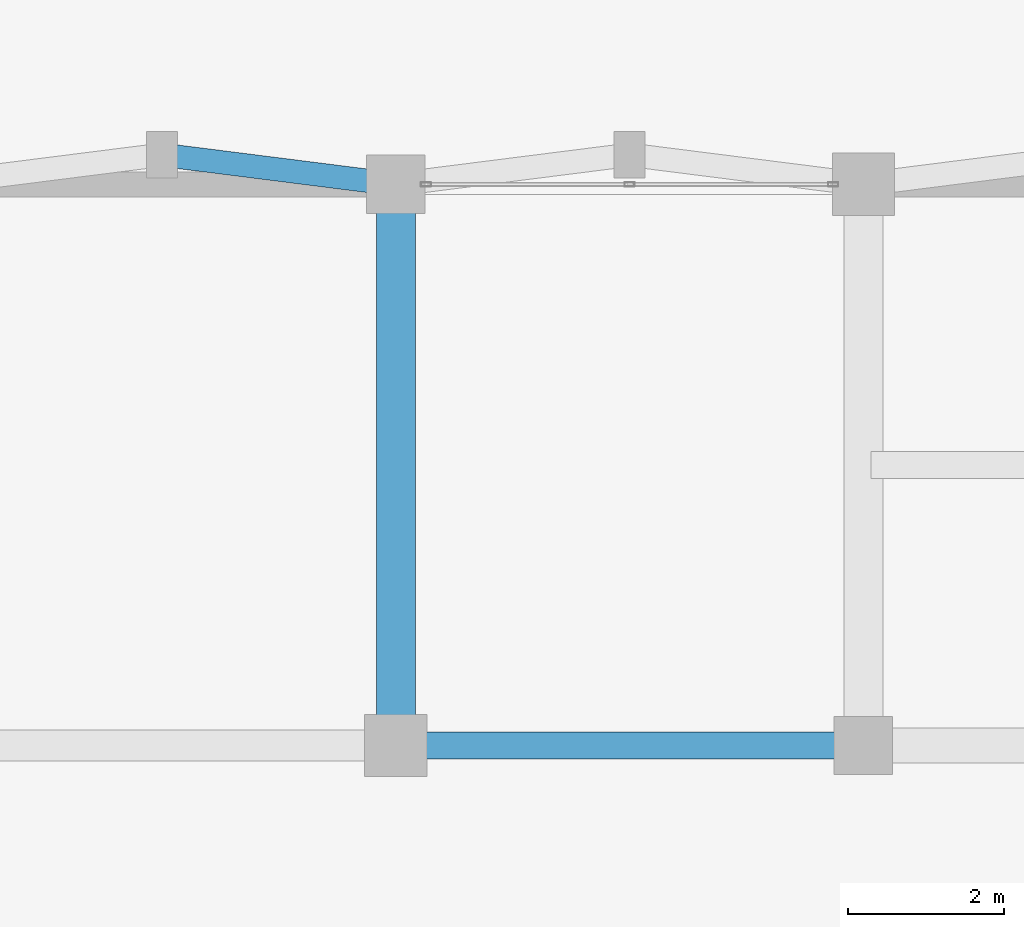
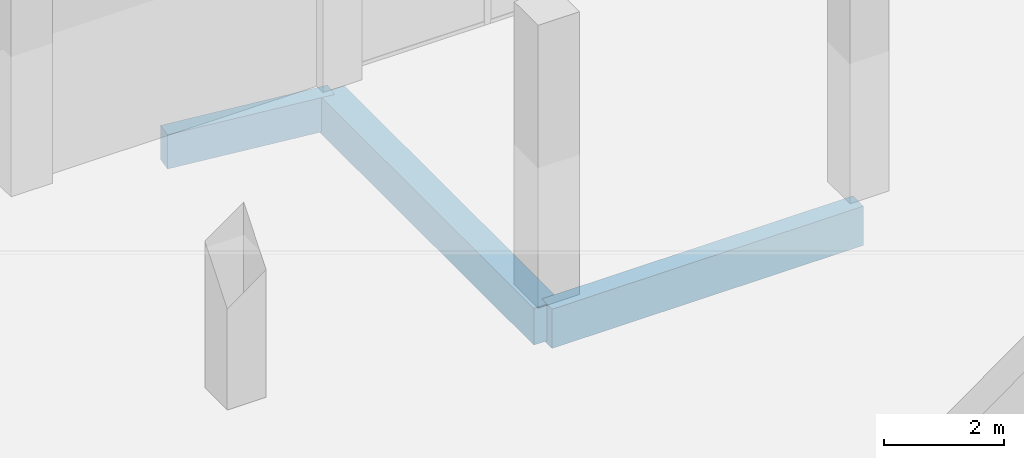
# One storey, part 40 of 103: 3 beams.
"""IFC4 building model written with IfcOpenShell, lengths in metres."""

from ifc_helpers import new_model, si_unit, direction, frame, origin, origin_2d, place, context, subcontext, project, spatial, rectangle, extrude, material, material_profile, profile_set, type_object, element, save


model = new_model("IFC4")

# Units and contexts
model_context = context("Model", 3, precision=1e-05, world=origin(), true_north=direction((0.0, 1.0)))
body_context = subcontext(model_context, "Body", "Model", "MODEL_VIEW")
ifc_project = project(units=[si_unit("LENGTHUNIT", "METRE"), si_unit("AREAUNIT", "SQUARE_METRE"), si_unit("VOLUMEUNIT", "CUBIC_METRE"), si_unit("PLANEANGLEUNIT", "RADIAN"), si_unit("MASSUNIT", "GRAM", prefix="KILO")], contexts=[model_context])

# Site, building, storey
site_placement = place(None, origin())
site = spatial("IfcSite", under=ifc_project, at=site_placement, CompositionType="ELEMENT")
building_placement = place(site_placement, origin())
building = spatial("IfcBuilding", under=site, at=building_placement, Name="Dunvalen Ferry Terminal", CompositionType="ELEMENT")
storey_placement = place(building_placement, origin())
storey = spatial("IfcBuildingStorey", under=building, at=storey_placement, Name="L00", CompositionType="ELEMENT", Elevation=0.0)

# Beams
ifc_material = material(Name="Concrete C40/50", Category="concrete")
ifc_material_profile_1 = material_profile(ifc_material, rectangle(XDim=0.5, YDim=0.75, at=origin_2d()), Name="Concrete C40/50")
ifc_profile_set_1 = profile_set([ifc_material_profile_1], Name="Concrete C40/50")
beam_type_1 = type_object("IfcBeamType", Name="STR-BM-RCB750", PredefinedType="BEAM", material=ifc_profile_set_1)
beam_1_placement = place(storey_placement, frame((42.0, 28.800048828125, -0.675048828125), z_axis=(0.0, 1.0, 0.0), x_axis=(-1.0, 0.0, 0.0)))
element("IfcBeam", 1, at=beam_1_placement, inside=storey, type_object=beam_type_1, Name="L00 V5P0 Primary Girder Y-107", PredefinedType="BEAM", context=body_context, shape_type="SweptSolid", body=[
    extrude(rectangle(XDim=0.5, YDim=0.75, at=origin_2d()), origin(), (0.0, 0.0, 1.0), 7.199951171875),
])
ifc_material_profile_2 = material_profile(ifc_material, rectangle(XDim=0.300048828125, YDim=0.699951171875, at=origin_2d()), Name="Concrete C40/50")
ifc_profile_set_2 = profile_set([ifc_material_profile_2], Name="Concrete C40/50")
beam_type_2 = type_object("IfcBeamType", Name="STR-BM-RCSP700", PredefinedType="SPANDREL", material=ifc_profile_set_2)
beam_2_placement = place(storey_placement, frame((39.0, 36.3798828125, -0.64990234375), z_axis=(0.992077869489, -0.12562444376, 0.0), x_axis=(0.12562444376, 0.992077869489, 0.0)))
element("IfcBeam", 2, at=beam_2_placement, inside=storey, type_object=beam_type_2, Name="L00 Passage Pilaster Spandrel Tie 05.2", PredefinedType="SPANDREL", context=body_context, shape_type="SweptSolid", body=[
    extrude(rectangle(XDim=0.300048828125, YDim=0.699951171875, at=origin_2d()), origin(), (0.0, 0.0, 1.0), 3.02392578125),
])
ifc_material_profile_3 = material_profile(ifc_material, rectangle(XDim=0.35009765625, YDim=0.800048828125, at=origin_2d()), Name="Concrete C40/50")
ifc_profile_set_3 = profile_set([ifc_material_profile_3], Name="Concrete C40/50")
beam_type_3 = type_object("IfcBeamType", Name="STR-BM-RCSP800", PredefinedType="SPANDREL", material=ifc_profile_set_3)
beam_3_placement = place(storey_placement, frame((42.0, 28.800048828125, -0.699951171875), z_axis=(1.0, 0.0, 0.0), x_axis=(0.0, 1.0, 0.0)))
element("IfcBeam", 3, at=beam_3_placement, inside=storey, type_object=beam_type_3, Name="L00 V5P0 Primary Beam X-059", PredefinedType="SPANDREL", context=body_context, shape_type="SweptSolid", body=[
    extrude(rectangle(XDim=0.35009765625, YDim=0.800048828125, at=origin_2d()), origin(), (0.0, 0.0, 1.0), 6.0),
])

save(model, "model.ifc")
